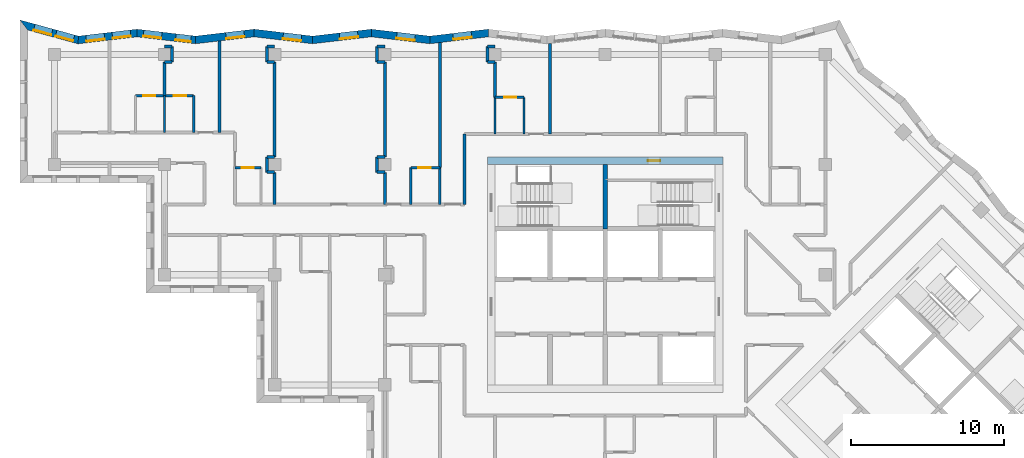
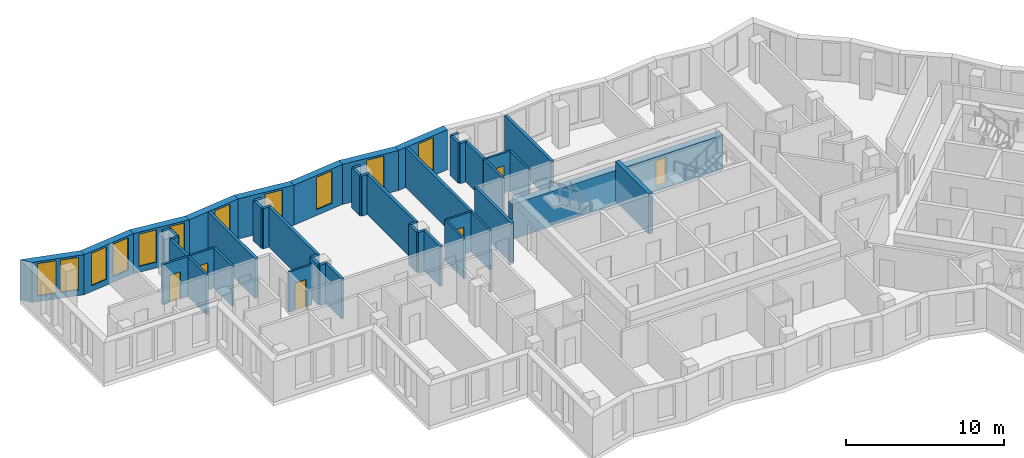
# One storey, part 6 of 12: 48 walls, 11 windows, 6 doors, 17 openings.
"""IFC4 building model written with IfcOpenShell, lengths in metres."""

from ifc_helpers import new_model, si_unit, direction, frame, frame_2d, origin, place, context, subcontext, project, spatial, polyline, rectangle, outline, extrude, material, layer, layer_set, type_object, element, fill, save


model = new_model("IFC4")

# Units and contexts
model_context = context("Model", 3, precision=1e-05, world=origin(), true_north=direction((0.0, 1.0)))
body_context = subcontext(model_context, "Body", "Model", "MODEL_VIEW")
ifc_project = project(units=[si_unit("LENGTHUNIT", "METRE"), si_unit("AREAUNIT", "SQUARE_METRE"), si_unit("VOLUMEUNIT", "CUBIC_METRE"), si_unit("PLANEANGLEUNIT", "RADIAN"), si_unit("MASSUNIT", "GRAM", prefix="KILO")], contexts=[model_context])

# Site, building, storey
site_placement = place(None, origin())
site = spatial("IfcSite", under=ifc_project, at=site_placement, CompositionType="ELEMENT")
building_placement = place(site_placement, origin())
building = spatial("IfcBuilding", under=site, at=building_placement, Name="Windrow Commons", CompositionType="ELEMENT")
storey_placement = place(building_placement, frame((0.0, 0.0, 206.6)))
storey = spatial("IfcBuildingStorey", under=building, at=storey_placement, Name="L56", CompositionType="ELEMENT", Elevation=206.6)

# Wall, opening, window
ifc_material_1 = material(Name="Brick masonry, red clay brick", Category="masonry")
ifc_layer_1 = layer(ifc_material_1, 0.5)
ifc_layer_set_1 = layer_set([ifc_layer_1], Name="Brick facade wall 500")
wall_type_1 = type_object("IfcWallType", Name="Brick facade wall 500", PredefinedType="SOLIDWALL", material=ifc_layer_set_1)
wall_1_placement = place(storey_placement, frame((57.1681, 73.3993, 0.0), z_axis=(0.0, 0.0, 1.0), x_axis=(-0.9931289789, -0.1170249176, 0.0)))
wall_1 = element("IfcWall", 1, at=wall_1_placement, inside=storey, type_object=wall_type_1, Name="Brick facade wall L56 23", PredefinedType="SOLIDWALL", context=body_context, shape_type="SweptSolid", body=[
    extrude(outline(polyline([(-0.0295, -0.25), (3.8244, -0.25), (3.8833, 0.25), (0.0295, 0.25), (-0.0295, -0.25)])), origin(), (0.0, 0.0, 1.0), 3.1),
])
opening_1_placement = place(wall_1_placement, frame((1.1097, 0.0, 0.45)))
opening_1 = element("IfcOpeningElement", 2, at=opening_1_placement, cuts=wall_1, Name="Opening W7E", PredefinedType="OPENING", context=body_context, shape_type="SweptSolid", body=[
    extrude(rectangle(XDim=1.2, YDim=2.5, at=frame_2d((0.6, 1.25))), frame((0.0, 0.26, 0.0), z_axis=(0.0, -1.0, 0.0), x_axis=(1.0, 0.0, 0.0)), (0.0, 0.0, 1.0), 0.52),
])
ifc_material_2 = material(Name="Clear float glass in anodised aluminium frame", Category="aluminium")
window_type_1 = type_object("IfcWindowType", Name="Window W7 notch 1200x2500", PartitioningType="SINGLE_PANEL", PredefinedType="WINDOW", material=ifc_material_2)
window_1_placement = place(opening_1_placement, origin())
window_1 = element("IfcWindow", 3, at=window_1_placement, inside=storey, type_object=window_type_1, Name="Window L56 23.1", OverallHeight=2.5, OverallWidth=1.2, PartitioningType="SINGLE_PANEL", PredefinedType="WINDOW", context=body_context, shape_type="SweptSolid", body=[
    extrude(rectangle(XDim=1.2, YDim=2.5, at=frame_2d((0.6, 1.25))), frame((0.0, 0.18, 0.0), z_axis=(0.0, -1.0, 0.0), x_axis=(1.0, 0.0, 0.0)), (0.0, 0.0, 1.0), 0.06),
])
fill(opening_1, window_1)

wall_2_placement = place(storey_placement, frame((53.3407, 72.9483, 0.0), z_axis=(0.0, 0.0, 1.0), x_axis=(-0.9931289789, 0.1170249176, 0.0)))
wall_2 = element("IfcWall", 4, at=wall_2_placement, inside=storey, type_object=wall_type_1, Name="Brick facade wall L56 24", PredefinedType="SOLIDWALL", context=body_context, shape_type="SweptSolid", body=[
    extrude(outline(polyline([(0.0295, -0.25), (3.8833, -0.25), (3.8244, 0.25), (-0.0295, 0.25), (0.0295, -0.25)])), origin(), (0.0, 0.0, 1.0), 3.1),
])
opening_2_placement = place(wall_2_placement, frame((0.9805, 0.0, 0.45)))
opening_2 = element("IfcOpeningElement", 5, at=opening_2_placement, cuts=wall_2, Name="Opening W7E", PredefinedType="OPENING", context=body_context, shape_type="SweptSolid", body=[
    extrude(rectangle(XDim=1.2, YDim=2.5, at=frame_2d((0.6, 1.25))), frame((0.0, 0.26, 0.0), z_axis=(0.0, -1.0, 0.0), x_axis=(1.0, 0.0, 0.0)), (0.0, 0.0, 1.0), 0.52),
])
window_2_placement = place(opening_2_placement, origin())
window_2 = element("IfcWindow", 6, at=window_2_placement, inside=storey, type_object=window_type_1, Name="Window L56 24.1", OverallHeight=2.5, OverallWidth=1.2, PartitioningType="SINGLE_PANEL", PredefinedType="WINDOW", context=body_context, shape_type="SweptSolid", body=[
    extrude(rectangle(XDim=1.2, YDim=2.5, at=frame_2d((0.6, 1.25))), frame((0.0, 0.18, 0.0), z_axis=(0.0, -1.0, 0.0), x_axis=(1.0, 0.0, 0.0)), (0.0, 0.0, 1.0), 0.06),
])
fill(opening_2, window_2)

wall_3_placement = place(storey_placement, frame((49.5133, 73.3993, 0.0), z_axis=(0.0, 0.0, 1.0), x_axis=(-0.9931289789, -0.1170249176, 0.0)))
wall_3 = element("IfcWall", 7, at=wall_3_placement, inside=storey, type_object=wall_type_1, Name="Brick facade wall L56 25", PredefinedType="SOLIDWALL", context=body_context, shape_type="SweptSolid", body=[
    extrude(outline(polyline([(-0.0295, -0.25), (3.8244, -0.25), (3.8833, 0.25), (0.0295, 0.25), (-0.0295, -0.25)])), origin(), (0.0, 0.0, 1.0), 3.1),
])
opening_3_placement = place(wall_3_placement, frame((0.8808, 0.0, 0.45)))
opening_3 = element("IfcOpeningElement", 8, at=opening_3_placement, cuts=wall_3, Name="Opening W7E", PredefinedType="OPENING", context=body_context, shape_type="SweptSolid", body=[
    extrude(rectangle(XDim=1.2, YDim=2.5, at=frame_2d((0.6, 1.25))), frame((0.0, 0.26, 0.0), z_axis=(0.0, -1.0, 0.0), x_axis=(1.0, 0.0, 0.0)), (0.0, 0.0, 1.0), 0.52),
])
window_3_placement = place(opening_3_placement, origin())
window_3 = element("IfcWindow", 9, at=window_3_placement, inside=storey, type_object=window_type_1, Name="Window L56 25.1", OverallHeight=2.5, OverallWidth=1.2, PartitioningType="SINGLE_PANEL", PredefinedType="WINDOW", context=body_context, shape_type="SweptSolid", body=[
    extrude(rectangle(XDim=1.2, YDim=2.5, at=frame_2d((0.6, 1.25))), frame((0.0, 0.18, 0.0), z_axis=(0.0, -1.0, 0.0), x_axis=(1.0, 0.0, 0.0)), (0.0, 0.0, 1.0), 0.06),
])
fill(opening_3, window_3)

wall_4_placement = place(storey_placement, frame((45.6859, 72.9483, 0.0), z_axis=(0.0, 0.0, 1.0), x_axis=(-0.9931286235, 0.1170279333, 0.0)))
wall_4 = element("IfcWall", 10, at=wall_4_placement, inside=storey, type_object=wall_type_1, Name="Brick facade wall L56 26", PredefinedType="SOLIDWALL", context=body_context, shape_type="SweptSolid", body=[
    extrude(outline(polyline([(0.0295, -0.25), (3.8833, -0.25), (3.8244, 0.25), (-0.0295, 0.25), (0.0295, -0.25)])), origin(), (0.0, 0.0, 1.0), 3.1),
])
opening_4_placement = place(wall_4_placement, frame((0.7516, 0.0, 0.45)))
opening_4 = element("IfcOpeningElement", 11, at=opening_4_placement, cuts=wall_4, Name="Opening W7E", PredefinedType="OPENING", context=body_context, shape_type="SweptSolid", body=[
    extrude(rectangle(XDim=1.2, YDim=2.5, at=frame_2d((0.6, 1.25))), frame((0.0, 0.26, 0.0), z_axis=(0.0, -1.0, 0.0), x_axis=(1.0, 0.0, 0.0)), (0.0, 0.0, 1.0), 0.52),
])
window_4_placement = place(opening_4_placement, origin())
window_4 = element("IfcWindow", 12, at=window_4_placement, inside=storey, type_object=window_type_1, Name="Window L56 26.1", OverallHeight=2.5, OverallWidth=1.2, PartitioningType="SINGLE_PANEL", PredefinedType="WINDOW", context=body_context, shape_type="SweptSolid", body=[
    extrude(rectangle(XDim=1.2, YDim=2.5, at=frame_2d((0.6, 1.25))), frame((0.0, 0.18, 0.0), z_axis=(0.0, -1.0, 0.0), x_axis=(1.0, 0.0, 0.0)), (0.0, 0.0, 1.0), 0.06),
])
fill(opening_4, window_4)

wall_5_placement = place(storey_placement, frame((41.8586, 73.3993, 0.0), z_axis=(0.0, 0.0, 1.0), x_axis=(-0.9931289789, -0.1170249176, 0.0)))
wall_5 = element("IfcWall", 13, at=wall_5_placement, inside=storey, type_object=wall_type_1, Name="Brick facade wall L56 27", PredefinedType="SOLIDWALL", context=body_context, shape_type="SweptSolid", body=[
    extrude(outline(polyline([(-0.0295, -0.25), (3.8244, -0.25), (3.8833, 0.25), (0.0295, 0.25), (-0.0295, -0.25)])), origin(), (0.0, 0.0, 1.0), 3.1),
])
opening_5_placement = place(wall_5_placement, frame((0.6518, 0.0, 0.45)))
opening_5 = element("IfcOpeningElement", 14, at=opening_5_placement, cuts=wall_5, Name="Opening W7E", PredefinedType="OPENING", context=body_context, shape_type="SweptSolid", body=[
    extrude(rectangle(XDim=1.2, YDim=2.5, at=frame_2d((0.6, 1.25))), frame((0.0, 0.26, 0.0), z_axis=(0.0, -1.0, 0.0), x_axis=(1.0, 0.0, 0.0)), (0.0, 0.0, 1.0), 0.52),
])
window_5_placement = place(opening_5_placement, origin())
window_5 = element("IfcWindow", 15, at=window_5_placement, inside=storey, type_object=window_type_1, Name="Window L56 27.1", OverallHeight=2.5, OverallWidth=1.2, PartitioningType="SINGLE_PANEL", PredefinedType="WINDOW", context=body_context, shape_type="SweptSolid", body=[
    extrude(rectangle(XDim=1.2, YDim=2.5, at=frame_2d((0.6, 1.25))), frame((0.0, 0.18, 0.0), z_axis=(0.0, -1.0, 0.0), x_axis=(1.0, 0.0, 0.0)), (0.0, 0.0, 1.0), 0.06),
])
fill(opening_5, window_5)

# Wall, openings, windows
wall_6_placement = place(storey_placement, frame((38.0312, 72.9483, 0.0), z_axis=(0.0, 0.0, 1.0), x_axis=(-0.9931289789, 0.1170249176, 0.0)))
wall_6 = element("IfcWall", 16, at=wall_6_placement, inside=storey, type_object=wall_type_1, Name="Brick facade wall L56 28", PredefinedType="SOLIDWALL", context=body_context, shape_type="SweptSolid", body=[
    extrude(outline(polyline([(0.0295, -0.25), (3.8833, -0.25), (3.8244, 0.25), (-0.0295, 0.25), (0.0295, -0.25)])), origin(), (0.0, 0.0, 1.0), 3.1),
])
opening_6_placement = place(wall_6_placement, frame((2.2348, 0.0, 0.45)))
opening_6 = element("IfcOpeningElement", 17, at=opening_6_placement, cuts=wall_6, Name="Opening W7E", PredefinedType="OPENING", context=body_context, shape_type="SweptSolid", body=[
    extrude(rectangle(XDim=1.2, YDim=2.5, at=frame_2d((0.6, 1.25))), frame((0.0, 0.26, 0.0), z_axis=(0.0, -1.0, 0.0), x_axis=(1.0, 0.0, 0.0)), (0.0, 0.0, 1.0), 0.52),
])
opening_7_placement = place(wall_6_placement, frame((0.3095, 0.0, 0.45)))
opening_7 = element("IfcOpeningElement", 18, at=opening_7_placement, cuts=wall_6, Name="Opening W1S", PredefinedType="OPENING", context=body_context, shape_type="SweptSolid", body=[
    extrude(rectangle(XDim=1.0, YDim=2.5, at=frame_2d((0.5, 1.25))), frame((0.0, 0.26, 0.0), z_axis=(0.0, -1.0, 0.0), x_axis=(1.0, 0.0, 0.0)), (0.0, 0.0, 1.0), 0.52),
])
ifc_material_3 = material(Name="Clear float glass in anodised aluminium frame", Category="aluminium")
window_type_2 = type_object("IfcWindowType", Name="Window W1S slit 1000x2500", PartitioningType="SINGLE_PANEL", PredefinedType="WINDOW", material=ifc_material_3)
window_6_placement = place(opening_7_placement, origin())
window_6 = element("IfcWindow", 19, at=window_6_placement, inside=storey, type_object=window_type_2, Name="Window L56 28.1A", OverallHeight=2.5, OverallWidth=1.0, PartitioningType="SINGLE_PANEL", PredefinedType="WINDOW", context=body_context, shape_type="SweptSolid", body=[
    extrude(rectangle(XDim=1.0, YDim=2.5, at=frame_2d((0.5, 1.25))), frame((0.0, 0.18, 0.0), z_axis=(0.0, -1.0, 0.0), x_axis=(1.0, 0.0, 0.0)), (0.0, 0.0, 1.0), 0.06),
])
fill(opening_7, window_6)
window_7_placement = place(opening_6_placement, origin())
window_7 = element("IfcWindow", 20, at=window_7_placement, inside=storey, type_object=window_type_1, Name="Window L56 28.2", OverallHeight=2.5, OverallWidth=1.2, PartitioningType="SINGLE_PANEL", PredefinedType="WINDOW", context=body_context, shape_type="SweptSolid", body=[
    extrude(rectangle(XDim=1.2, YDim=2.5, at=frame_2d((0.6, 1.25))), frame((0.0, 0.18, 0.0), z_axis=(0.0, -1.0, 0.0), x_axis=(1.0, 0.0, 0.0)), (0.0, 0.0, 1.0), 0.06),
])
fill(opening_6, window_7)

wall_7_placement = place(storey_placement, frame((34.2038, 73.3993, 0.0), z_axis=(0.0, 0.0, 1.0), x_axis=(-0.9931278513, -0.1170344863, 0.0)))
wall_7 = element("IfcWall", 21, at=wall_7_placement, inside=storey, type_object=wall_type_1, Name="Brick facade wall L56 29", PredefinedType="SOLIDWALL", context=body_context, shape_type="SweptSolid", body=[
    extrude(outline(polyline([(-0.0295, -0.25), (3.8244, -0.25), (3.9219, 0.25), (0.0295, 0.25), (-0.0295, -0.25)])), origin(), (0.0, 0.0, 1.0), 3.1),
])
opening_8_placement = place(wall_7_placement, frame((0.4229, 0.0, 0.45)))
opening_8 = element("IfcOpeningElement", 22, at=opening_8_placement, cuts=wall_7, Name="Opening W7E", PredefinedType="OPENING", context=body_context, shape_type="SweptSolid", body=[
    extrude(rectangle(XDim=1.2, YDim=2.5, at=frame_2d((0.6, 1.25))), frame((0.0, 0.26, 0.0), z_axis=(0.0, -1.0, 0.0), x_axis=(1.0, 0.0, 0.0)), (0.0, 0.0, 1.0), 0.52),
])
opening_9_placement = place(wall_7_placement, frame((2.1447, 0.0, 0.45)))
opening_9 = element("IfcOpeningElement", 23, at=opening_9_placement, cuts=wall_7, Name="Opening W7E", PredefinedType="OPENING", context=body_context, shape_type="SweptSolid", body=[
    extrude(rectangle(XDim=1.2, YDim=2.5, at=frame_2d((0.6, 1.25))), frame((0.0, 0.26, 0.0), z_axis=(0.0, -1.0, 0.0), x_axis=(1.0, 0.0, 0.0)), (0.0, 0.0, 1.0), 0.52),
])
window_8_placement = place(opening_8_placement, origin())
window_8 = element("IfcWindow", 24, at=window_8_placement, inside=storey, type_object=window_type_1, Name="Window L56 29.1", OverallHeight=2.5, OverallWidth=1.2, PartitioningType="SINGLE_PANEL", PredefinedType="WINDOW", context=body_context, shape_type="SweptSolid", body=[
    extrude(rectangle(XDim=1.2, YDim=2.5, at=frame_2d((0.6, 1.25))), frame((0.0, 0.18, 0.0), z_axis=(0.0, -1.0, 0.0), x_axis=(1.0, 0.0, 0.0)), (0.0, 0.0, 1.0), 0.06),
])
fill(opening_8, window_8)
window_9_placement = place(opening_9_placement, origin())
window_9 = element("IfcWindow", 25, at=window_9_placement, inside=storey, type_object=window_type_1, Name="Window L56 29.2", OverallHeight=2.5, OverallWidth=1.2, PartitioningType="SINGLE_PANEL", PredefinedType="WINDOW", context=body_context, shape_type="SweptSolid", body=[
    extrude(rectangle(XDim=1.2, YDim=2.5, at=frame_2d((0.6, 1.25))), frame((0.0, 0.18, 0.0), z_axis=(0.0, -1.0, 0.0), x_axis=(1.0, 0.0, 0.0)), (0.0, 0.0, 1.0), 0.06),
])
fill(opening_9, window_9)

wall_8_placement = place(storey_placement, frame((30.3572, 72.946, 0.0), z_axis=(0.0, 0.0, 1.0), x_axis=(-0.9643026767, 0.2648024691, 0.0)))
wall_8 = element("IfcWall", 26, at=wall_8_placement, inside=storey, type_object=wall_type_1, Name="Brick facade wall L56 30", PredefinedType="SOLIDWALL", context=body_context, shape_type="SweptSolid", body=[
    extrude(outline(polyline([(0.0488, -0.25), (4.0178, -0.25), (3.362, 0.25), (-0.0488, 0.25), (0.0488, -0.25)])), origin(), (0.0, 0.0, 1.0), 3.1),
])
opening_10_placement = place(wall_8_placement, frame((0.3074, 0.0, 0.45)))
opening_10 = element("IfcOpeningElement", 27, at=opening_10_placement, cuts=wall_8, Name="Opening W7E", PredefinedType="OPENING", context=body_context, shape_type="SweptSolid", body=[
    extrude(rectangle(XDim=1.2, YDim=2.5, at=frame_2d((0.6, 1.25))), frame((0.0, 0.26, 0.0), z_axis=(0.0, -1.0, 0.0), x_axis=(1.0, 0.0, 0.0)), (0.0, 0.0, 1.0), 0.52),
])
opening_11_placement = place(wall_8_placement, frame((1.7884, 0.0, 0.45)))
opening_11 = element("IfcOpeningElement", 28, at=opening_11_placement, cuts=wall_8, Name="Opening W7E", PredefinedType="OPENING", context=body_context, shape_type="SweptSolid", body=[
    extrude(rectangle(XDim=1.2, YDim=2.5, at=frame_2d((0.6, 1.25))), frame((0.0, 0.26, 0.0), z_axis=(0.0, -1.0, 0.0), x_axis=(1.0, 0.0, 0.0)), (0.0, 0.0, 1.0), 0.52),
])
window_10_placement = place(opening_10_placement, origin())
window_10 = element("IfcWindow", 29, at=window_10_placement, inside=storey, type_object=window_type_1, Name="Window L56 30.1", OverallHeight=2.5, OverallWidth=1.2, PartitioningType="SINGLE_PANEL", PredefinedType="WINDOW", context=body_context, shape_type="SweptSolid", body=[
    extrude(rectangle(XDim=1.2, YDim=2.5, at=frame_2d((0.6, 1.25))), frame((0.0, 0.18, 0.0), z_axis=(0.0, -1.0, 0.0), x_axis=(1.0, 0.0, 0.0)), (0.0, 0.0, 1.0), 0.06),
])
fill(opening_10, window_10)
window_11_placement = place(opening_11_placement, origin())
window_11 = element("IfcWindow", 30, at=window_11_placement, inside=storey, type_object=window_type_1, Name="Window L56 30.2", OverallHeight=2.5, OverallWidth=1.2, PartitioningType="SINGLE_PANEL", PredefinedType="WINDOW", context=body_context, shape_type="SweptSolid", body=[
    extrude(rectangle(XDim=1.2, YDim=2.5, at=frame_2d((0.6, 1.25))), frame((0.0, 0.18, 0.0), z_axis=(0.0, -1.0, 0.0), x_axis=(1.0, 0.0, 0.0)), (0.0, 0.0, 1.0), 0.06),
])
fill(opening_11, window_11)

# Wall
ifc_material_4 = material(Name="Blockwork partition", Category="masonry")
ifc_layer_2 = layer(ifc_material_4, 0.2)
ifc_layer_set_2 = layer_set([ifc_layer_2], Name="IW-CORRIDOR-200")
wall_type_2 = type_object("IfcWallType", Name="IW-CORRIDOR-200", PredefinedType="PARTITIONING", material=ifc_layer_set_2)
wall_9_placement = place(storey_placement, frame((55.6, 62.202, 0.0), z_axis=(0.0, 0.0, 1.0), x_axis=(0.0, 1.0, 0.0)))
element("IfcWall", 31, at=wall_9_placement, inside=storey, type_object=wall_type_2, Name="W-L56-W041", PredefinedType="PARTITIONING", context=body_context, shape_type="SweptSolid", body=[
    extrude(rectangle(XDim=4.598, YDim=0.2, at=frame_2d((2.299, 0.0))), origin(), (0.0, 0.0, 1.0), 3.1),
])

# Wall, openings, doors
ifc_material_5 = material(Name="Blockwork partition", Category="masonry")
ifc_layer_3 = layer(ifc_material_5, 0.15)
ifc_layer_set_3 = layer_set([ifc_layer_3], Name="IW-ENSUITE-150")
wall_type_3 = type_object("IfcWallType", Name="IW-ENSUITE-150", PredefinedType="PARTITIONING", material=ifc_layer_set_3)
wall_10_placement = place(storey_placement, frame((34.1, 69.3, 0.0), z_axis=(0.0, 0.0, 1.0), x_axis=(1.0, 0.0, 0.0)))
wall_10 = element("IfcWall", 32, at=wall_10_placement, inside=storey, type_object=wall_type_3, Name="W-L56-W045", PredefinedType="PARTITIONING", context=body_context, shape_type="SweptSolid", body=[
    extrude(rectangle(XDim=3.8, YDim=0.15, at=frame_2d((1.9, 0.0))), origin(), (0.0, 0.0, 1.0), 3.1),
])
opening_12_placement = place(wall_10_placement, frame((0.4931, 0.0, 0.0)))
opening_12 = element("IfcOpeningElement", 33, at=opening_12_placement, cuts=wall_10, Name="Opening D208N", PredefinedType="OPENING", context=body_context, shape_type="SweptSolid", body=[
    extrude(rectangle(XDim=0.8, YDim=2.1, at=frame_2d((0.4, 1.05))), frame((0.0, 0.085, 0.0), z_axis=(0.0, -1.0, 0.0), x_axis=(1.0, 0.0, 0.0)), (0.0, 0.0, 1.0), 0.17),
])
opening_13_placement = place(wall_10_placement, frame((2.5069, 0.0, 0.0)))
opening_13 = element("IfcOpeningElement", 34, at=opening_13_placement, cuts=wall_10, Name="Opening D208N", PredefinedType="OPENING", context=body_context, shape_type="SweptSolid", body=[
    extrude(rectangle(XDim=0.8, YDim=2.1, at=frame_2d((0.4, 1.05))), frame((0.0, 0.085, 0.0), z_axis=(0.0, -1.0, 0.0), x_axis=(1.0, 0.0, 0.0)), (0.0, 0.0, 1.0), 0.17),
])
ifc_material_6 = material(Name="Timber door leaf", Category="wood")
door_type_1 = type_object("IfcDoorType", Name="DT-ENSUITE-800", OperationType="SINGLE_SWING_LEFT", PredefinedType="DOOR", material=ifc_material_6)
door_1_placement = place(opening_12_placement, origin())
door_1 = element("IfcDoor", 35, at=door_1_placement, inside=storey, type_object=door_type_1, Name="D-L56-D004", OperationType="SINGLE_SWING_RIGHT", OverallHeight=2.1, OverallWidth=0.8, PredefinedType="DOOR", context=body_context, shape_type="SweptSolid", body=[
    extrude(rectangle(XDim=0.8, YDim=2.1, at=frame_2d((0.4, 1.05))), frame((0.0, 0.025, 0.0), z_axis=(0.0, -1.0, 0.0), x_axis=(1.0, 0.0, 0.0)), (0.0, 0.0, 1.0), 0.05),
])
fill(opening_12, door_1)
door_2_placement = place(opening_13_placement, origin())
door_2 = element("IfcDoor", 36, at=door_2_placement, inside=storey, type_object=door_type_1, Name="D-L56-D006", OperationType="SINGLE_SWING_RIGHT", OverallHeight=2.1, OverallWidth=0.8, PredefinedType="DOOR", context=body_context, shape_type="SweptSolid", body=[
    extrude(rectangle(XDim=0.8, YDim=2.1, at=frame_2d((0.4, 1.05))), frame((0.0, 0.025, 0.0), z_axis=(0.0, -1.0, 0.0), x_axis=(1.0, 0.0, 0.0)), (0.0, 0.0, 1.0), 0.05),
])
fill(opening_13, door_2)

# Walls
for number, where, z_axis, x_axis, name in (
    (37, (57.6, 66.8, 0.0), (0.0, 0.0, 1.0), (0.0, 1.0, 0.0), "W-L56-W063"),
    (38, (59.5, 66.8, 0.0), (0.0, 0.0, 1.0), (0.0, 1.0, 0.0), "W-L56-W064"),
    (39, (36.0, 66.9, 0.0), (0.0, 0.0, 1.0), (0.0, 1.0, 0.0), "W-L56-W073"),
    (40, (37.9, 66.9, 0.0), (0.0, 0.0, 1.0), (0.0, 1.0, 0.0), "W-L56-W074"),
    (41, (52.1, 62.2, 0.0), (0.0, 0.0, 1.0), (0.0, 1.0, 0.0), "W-L56-W076"),
    (42, (54.0, 62.2, 0.0), (0.0, 0.0, 1.0), (0.0, 1.0, 0.0), "W-L56-W077"),
):
    element("IfcWall", number, at=place(storey_placement, frame(where, z_axis=z_axis, x_axis=x_axis)), inside=storey, type_object=wall_type_3, Name=name, PredefinedType="PARTITIONING", context=body_context, shape_type="SweptSolid", body=[
        extrude(rectangle(XDim=2.4, YDim=0.15, at=frame_2d((1.2, 0.0))), origin(), (0.0, 0.0, 1.0), 3.1),
    ])

# Wall, opening, door
wall_11_placement = place(storey_placement, frame((52.1, 64.6, 0.0), z_axis=(0.0, 0.0, 1.0), x_axis=(1.0, 0.0, 0.0)))
wall_11 = element("IfcWall", 43, at=wall_11_placement, inside=storey, type_object=wall_type_3, Name="W-L56-W110", PredefinedType="PARTITIONING", context=body_context, shape_type="SweptSolid", body=[
    extrude(rectangle(XDim=1.9, YDim=0.15, at=frame_2d((0.95, 0.0))), origin(), (0.0, 0.0, 1.0), 3.1),
])
opening_14_placement = place(wall_11_placement, frame((0.4931, 0.0, 0.0)))
opening_14 = element("IfcOpeningElement", 44, at=opening_14_placement, cuts=wall_11, Name="Opening D208N", PredefinedType="OPENING", context=body_context, shape_type="SweptSolid", body=[
    extrude(rectangle(XDim=0.8, YDim=2.1, at=frame_2d((0.4, 1.05))), frame((0.0, 0.085, 0.0), z_axis=(0.0, -1.0, 0.0), x_axis=(1.0, 0.0, 0.0)), (0.0, 0.0, 1.0), 0.17),
])
door_3_placement = place(opening_14_placement, origin())
door_3 = element("IfcDoor", 45, at=door_3_placement, inside=storey, type_object=door_type_1, Name="D-L56-D020", OperationType="SINGLE_SWING_RIGHT", OverallHeight=2.1, OverallWidth=0.8, PredefinedType="DOOR", context=body_context, shape_type="SweptSolid", body=[
    extrude(rectangle(XDim=0.8, YDim=2.1, at=frame_2d((0.4, 1.05))), frame((0.0, 0.025, 0.0), z_axis=(0.0, -1.0, 0.0), x_axis=(1.0, 0.0, 0.0)), (0.0, 0.0, 1.0), 0.05),
])
fill(opening_14, door_3)

wall_12_placement = place(storey_placement, frame((57.6, 69.2, 0.0), z_axis=(0.0, 0.0, 1.0), x_axis=(1.0, 0.0, 0.0)))
wall_12 = element("IfcWall", 46, at=wall_12_placement, inside=storey, type_object=wall_type_3, Name="W-L56-W113", PredefinedType="PARTITIONING", context=body_context, shape_type="SweptSolid", body=[
    extrude(rectangle(XDim=1.9, YDim=0.15, at=frame_2d((0.95, 0.0))), origin(), (0.0, 0.0, 1.0), 3.1),
])
opening_15_placement = place(wall_12_placement, frame((0.6069, 0.0, 0.0)))
opening_15 = element("IfcOpeningElement", 47, at=opening_15_placement, cuts=wall_12, Name="Opening D208N", PredefinedType="OPENING", context=body_context, shape_type="SweptSolid", body=[
    extrude(rectangle(XDim=0.8, YDim=2.1, at=frame_2d((0.4, 1.05))), frame((0.0, 0.085, 0.0), z_axis=(0.0, -1.0, 0.0), x_axis=(1.0, 0.0, 0.0)), (0.0, 0.0, 1.0), 0.17),
])
door_4_placement = place(opening_15_placement, origin())
door_4 = element("IfcDoor", 48, at=door_4_placement, inside=storey, type_object=door_type_1, Name="D-L56-D008", OperationType="SINGLE_SWING_RIGHT", OverallHeight=2.1, OverallWidth=0.8, PredefinedType="DOOR", context=body_context, shape_type="SweptSolid", body=[
    extrude(rectangle(XDim=0.8, YDim=2.1, at=frame_2d((0.4, 1.05))), frame((0.0, 0.025, 0.0), z_axis=(0.0, -1.0, 0.0), x_axis=(1.0, 0.0, 0.0)), (0.0, 0.0, 1.0), 0.05),
])
fill(opening_15, door_4)

wall_13_placement = place(storey_placement, frame((40.6, 64.6, 0.0), z_axis=(0.0, 0.0, 1.0), x_axis=(1.0, 0.0, 0.0)))
wall_13 = element("IfcWall", 49, at=wall_13_placement, inside=storey, type_object=wall_type_3, Name="W-L56-W117", PredefinedType="PARTITIONING", context=body_context, shape_type="SweptSolid", body=[
    extrude(rectangle(XDim=1.7, YDim=0.15, at=frame_2d((0.85, 0.0))), origin(), (0.0, 0.0, 1.0), 3.1),
])
opening_16_placement = place(wall_13_placement, frame((0.4443, 0.0, 0.0)))
opening_16 = element("IfcOpeningElement", 50, at=opening_16_placement, cuts=wall_13, Name="Opening D208N", PredefinedType="OPENING", context=body_context, shape_type="SweptSolid", body=[
    extrude(rectangle(XDim=0.8, YDim=2.1, at=frame_2d((0.4, 1.05))), frame((0.0, 0.085, 0.0), z_axis=(0.0, -1.0, 0.0), x_axis=(1.0, 0.0, 0.0)), (0.0, 0.0, 1.0), 0.17),
])
door_5_placement = place(opening_16_placement, origin())
door_5 = element("IfcDoor", 51, at=door_5_placement, inside=storey, type_object=door_type_1, Name="D-L56-D017", OperationType="SINGLE_SWING_RIGHT", OverallHeight=2.1, OverallWidth=0.8, PredefinedType="DOOR", context=body_context, shape_type="SweptSolid", body=[
    extrude(rectangle(XDim=0.8, YDim=2.1, at=frame_2d((0.4, 1.05))), frame((0.0, 0.025, 0.0), z_axis=(0.0, -1.0, 0.0), x_axis=(1.0, 0.0, 0.0)), (0.0, 0.0, 1.0), 0.05),
])
fill(opening_16, door_5)

# Walls
ifc_material_7 = material(Name="Blockwork partition", Category="masonry")
ifc_layer_4 = layer(ifc_material_7, 0.2)
ifc_layer_set_4 = layer_set([ifc_layer_4], Name="IW-PARTY-200")
wall_type_4 = type_object("IfcWallType", Name="IW-PARTY-200", PredefinedType="PARTITIONING", material=ifc_layer_set_4)
wall_14_placement = place(storey_placement, frame((54.0, 64.6, 0.0), z_axis=(0.0, 0.0, 1.0), x_axis=(0.0, 1.0, 0.0)))
element("IfcWall", 52, at=wall_14_placement, inside=storey, type_object=wall_type_4, Name="W-L56-W013", PredefinedType="PARTITIONING", context=body_context, shape_type="SweptSolid", body=[
    extrude(rectangle(XDim=8.1742, YDim=0.2, at=frame_2d((4.0871, 0.0))), origin(), (0.0, 0.0, 1.0), 3.1),
])
for number, where, z_axis, x_axis, name in (
    (53, (43.2, 65.304, 0.0), (0.0, 0.0, 1.0), (0.0, 1.0, 0.0), "W-L56-W020"),
    (54, (50.4, 65.304, 0.0), (0.0, 0.0, 1.0), (0.0, 1.0, 0.0), "W-L56-W021"),
):
    element("IfcWall", number, at=place(storey_placement, frame(where, z_axis=z_axis, x_axis=x_axis)), inside=storey, type_object=wall_type_4, Name=name, PredefinedType="PARTITIONING", context=body_context, shape_type="SweptSolid", body=[
        extrude(rectangle(XDim=6.192, YDim=0.2, at=frame_2d((3.096, 0.0))), origin(), (0.0, 0.0, 1.0), 3.1),
    ])
wall_15_placement = place(storey_placement, frame((39.6, 66.9, 0.0), z_axis=(0.0, 0.0, 1.0), x_axis=(0.0, 1.0, 0.0)))
element("IfcWall", 55, at=wall_15_placement, inside=storey, type_object=wall_type_4, Name="W-L56-W024", PredefinedType="PARTITIONING", context=body_context, shape_type="SweptSolid", body=[
    extrude(rectangle(XDim=5.9814, YDim=0.2, at=frame_2d((2.9907, 0.0))), origin(), (0.0, 0.0, 1.0), 3.1),
])
wall_16_placement = place(storey_placement, frame((61.2, 66.8, 0.0), z_axis=(0.0, 0.0, 1.0), x_axis=(0.0, 1.0, 0.0)))
element("IfcWall", 56, at=wall_16_placement, inside=storey, type_object=wall_type_4, Name="W-L56-W026", PredefinedType="PARTITIONING", context=body_context, shape_type="SweptSolid", body=[
    extrude(rectangle(XDim=5.9206, YDim=0.2, at=frame_2d((2.9603, 0.0))), origin(), (0.0, 0.0, 1.0), 3.1),
])
wall_17_placement = place(storey_placement, frame((57.6, 69.2, 0.0), z_axis=(0.0, 0.0, 1.0), x_axis=(0.0, 1.0, 0.0)))
element("IfcWall", 57, at=wall_17_placement, inside=storey, type_object=wall_type_4, Name="W-L56-W084", PredefinedType="PARTITIONING", context=body_context, shape_type="SweptSolid", body=[
    extrude(rectangle(XDim=2.296, YDim=0.2, at=frame_2d((1.148, 0.0))), origin(), (0.0, 0.0, 1.0), 3.1),
])
wall_18_placement = place(storey_placement, frame((36.0, 69.3, 0.0), z_axis=(0.0, 0.0, 1.0), x_axis=(0.0, 1.0, 0.0)))
element("IfcWall", 58, at=wall_18_placement, inside=storey, type_object=wall_type_4, Name="W-L56-W092", PredefinedType="PARTITIONING", context=body_context, shape_type="SweptSolid", body=[
    extrude(rectangle(XDim=2.196, YDim=0.2, at=frame_2d((1.098, 0.0))), origin(), (0.0, 0.0, 1.0), 3.1),
])
for number, where, z_axis, x_axis, name in (
    (59, (43.2, 62.2, 0.0), (0.0, 0.0, 1.0), (0.0, 1.0, 0.0), "W-L56-W093"),
    (60, (50.4, 62.2, 0.0), (0.0, 0.0, 1.0), (0.0, 1.0, 0.0), "W-L56-W094"),
):
    element("IfcWall", number, at=place(storey_placement, frame(where, z_axis=z_axis, x_axis=x_axis)), inside=storey, type_object=wall_type_4, Name=name, PredefinedType="PARTITIONING", context=body_context, shape_type="SweptSolid", body=[
        extrude(rectangle(XDim=2.096, YDim=0.2, at=frame_2d((1.048, 0.0))), origin(), (0.0, 0.0, 1.0), 3.1),
    ])
for number, where, z_axis, x_axis, name in (
    (61, (36.5, 71.496, 0.0), (0.0, 0.0, 1.0), (0.0, 1.0, 0.0), "W-L56-W126"),
    (62, (42.7, 71.496, 0.0), (0.0, 0.0, 1.0), (0.0, 1.0, 0.0), "W-L56-W127"),
    (63, (49.9, 71.496, 0.0), (0.0, 0.0, 1.0), (0.0, 1.0, 0.0), "W-L56-W129"),
    (64, (57.1, 71.496, 0.0), (0.0, 0.0, 1.0), (0.0, 1.0, 0.0), "W-L56-W130"),
):
    element("IfcWall", number, at=place(storey_placement, frame(where, z_axis=z_axis, x_axis=x_axis)), inside=storey, type_object=wall_type_4, Name=name, PredefinedType="PARTITIONING", context=body_context, shape_type="SweptSolid", body=[
        extrude(rectangle(XDim=1.01, YDim=0.2, at=frame_2d((0.505, 0.0))), origin(), (0.0, 0.0, 1.0), 3.1),
    ])
for number, where, z_axis, x_axis, name in (
    (65, (42.7, 64.296, 0.0), (0.0, 0.0, 1.0), (0.0, 1.0, 0.0), "W-L56-W133"),
    (66, (49.9, 64.296, 0.0), (0.0, 0.0, 1.0), (0.0, 1.0, 0.0), "W-L56-W134"),
):
    element("IfcWall", number, at=place(storey_placement, frame(where, z_axis=z_axis, x_axis=x_axis)), inside=storey, type_object=wall_type_4, Name=name, PredefinedType="PARTITIONING", context=body_context, shape_type="SweptSolid", body=[
        extrude(rectangle(XDim=1.008, YDim=0.2, at=frame_2d((0.504, 0.0))), origin(), (0.0, 0.0, 1.0), 3.1),
    ])
for number, where, z_axis, x_axis, name in (
    (67, (36.0, 72.51, 0.0), (0.0, 0.0, 1.0), (1.0, 0.0, 0.0), "W-L56-W140"),
    (68, (42.7, 72.51, 0.0), (0.0, 0.0, 1.0), (1.0, 0.0, 0.0), "W-L56-W141"),
    (69, (49.9, 72.51, 0.0), (0.0, 0.0, 1.0), (1.0, 0.0, 0.0), "W-L56-W142"),
    (70, (57.1, 72.51, 0.0), (0.0, 0.0, 1.0), (1.0, 0.0, 0.0), "W-L56-W143"),
    (71, (36.0, 71.5, 0.0), (0.0, 0.0, 1.0), (1.0, 0.0, 0.0), "W-L56-W144"),
    (72, (42.7, 71.5, 0.0), (0.0, 0.0, 1.0), (1.0, 0.0, 0.0), "W-L56-W145"),
    (73, (49.9, 71.5, 0.0), (0.0, 0.0, 1.0), (1.0, 0.0, 0.0), "W-L56-W146"),
    (74, (57.1, 71.5, 0.0), (0.0, 0.0, 1.0), (1.0, 0.0, 0.0), "W-L56-W147"),
    (75, (42.7, 65.3, 0.0), (0.0, 0.0, 1.0), (1.0, 0.0, 0.0), "W-L56-W148"),
    (76, (49.9, 65.3, 0.0), (0.0, 0.0, 1.0), (1.0, 0.0, 0.0), "W-L56-W149"),
    (77, (42.7, 64.3, 0.0), (0.0, 0.0, 1.0), (1.0, 0.0, 0.0), "W-L56-W150"),
    (78, (49.9, 64.3, 0.0), (0.0, 0.0, 1.0), (1.0, 0.0, 0.0), "W-L56-W151"),
):
    element("IfcWall", number, at=place(storey_placement, frame(where, z_axis=z_axis, x_axis=x_axis)), inside=storey, type_object=wall_type_4, Name=name, PredefinedType="PARTITIONING", context=body_context, shape_type="SweptSolid", body=[
        extrude(rectangle(XDim=0.5, YDim=0.2, at=frame_2d((0.25, 0.0))), origin(), (0.0, 0.0, 1.0), 3.1),
    ])

# Wall, opening, door
ifc_material_8 = material(Name="Concrete C40/50", Category="concrete")
ifc_layer_5 = layer(ifc_material_8, 0.5)
ifc_layer_set_5 = layer_set([ifc_layer_5], Name="RC CORE WALL 500 C40/50")
wall_type_5 = type_object("IfcWallType", Name="RC CORE WALL 500 C40/50", PredefinedType="SHEAR", material=ifc_layer_set_5)
wall_19_placement = place(storey_placement, frame((57.1, 65.05, -0.3), z_axis=(0.0, 0.0, 1.0), x_axis=(1.0, 0.0, 0.0)))
wall_19 = element("IfcWall", 79, at=wall_19_placement, inside=storey, type_object=wall_type_5, Name="Core A wall outer-N", PredefinedType="SHEAR", context=body_context, shape_type="SweptSolid", body=[
    extrude(rectangle(XDim=15.4, YDim=0.5, at=frame_2d((7.7, 0.0))), origin(), (0.0, 0.0, 1.0), 2.7),
])
opening_17_placement = place(wall_19_placement, frame((10.5, 0.0, 0.3)))
opening_17 = element("IfcOpeningElement", 80, at=opening_17_placement, cuts=wall_19, Name="Opening D9", PredefinedType="OPENING", context=body_context, shape_type="SweptSolid", body=[
    extrude(rectangle(XDim=0.8, YDim=2.1, at=frame_2d((0.4, 1.05))), frame((0.0, 0.26, 0.0), z_axis=(0.0, -1.0, 0.0), x_axis=(1.0, 0.0, 0.0)), (0.0, 0.0, 1.0), 0.52),
])
ifc_material_9 = material(Name="Steel fire door leaf", Category="steel")
door_type_2 = type_object("IfcDoorType", Name="Riser access door 800", OperationType="SINGLE_SWING_LEFT", PredefinedType="DOOR", material=ifc_material_9)
door_6_placement = place(opening_17_placement, origin())
door_6 = element("IfcDoor", 81, at=door_6_placement, inside=storey, type_object=door_type_2, Name="Riser access door", OperationType="SINGLE_SWING_RIGHT", OverallHeight=2.1, OverallWidth=0.8, PredefinedType="DOOR", context=body_context, shape_type="SweptSolid", body=[
    extrude(rectangle(XDim=0.8, YDim=2.1, at=frame_2d((0.4, 1.05))), frame((0.0, 0.025, 0.0), z_axis=(0.0, -1.0, 0.0), x_axis=(1.0, 0.0, 0.0)), (0.0, 0.0, 1.0), 0.05),
])
fill(opening_17, door_6)

# Wall
ifc_material_10 = material(Name="Concrete C40/50", Category="concrete")
ifc_layer_6 = layer(ifc_material_10, 0.3)
ifc_layer_set_6 = layer_set([ifc_layer_6], Name="RC SHAFT WALL 300 C40/50")
wall_type_6 = type_object("IfcWallType", Name="RC SHAFT WALL 300 C40/50", PredefinedType="SOLIDWALL", material=ifc_layer_set_6)
wall_20_placement = place(storey_placement, frame((64.8, 60.6, 0.0), z_axis=(0.0, 0.0, 1.0), x_axis=(0.0, 1.0, 0.0)))
element("IfcWall", 82, at=wall_20_placement, inside=storey, type_object=wall_type_6, Name="Core A wall stair-mid", PredefinedType="SOLIDWALL", context=body_context, shape_type="SweptSolid", body=[
    extrude(rectangle(XDim=4.2, YDim=0.3, at=frame_2d((2.1, 0.0))), origin(), (0.0, 0.0, 1.0), 3.1),
])

save(model, "model.ifc")
